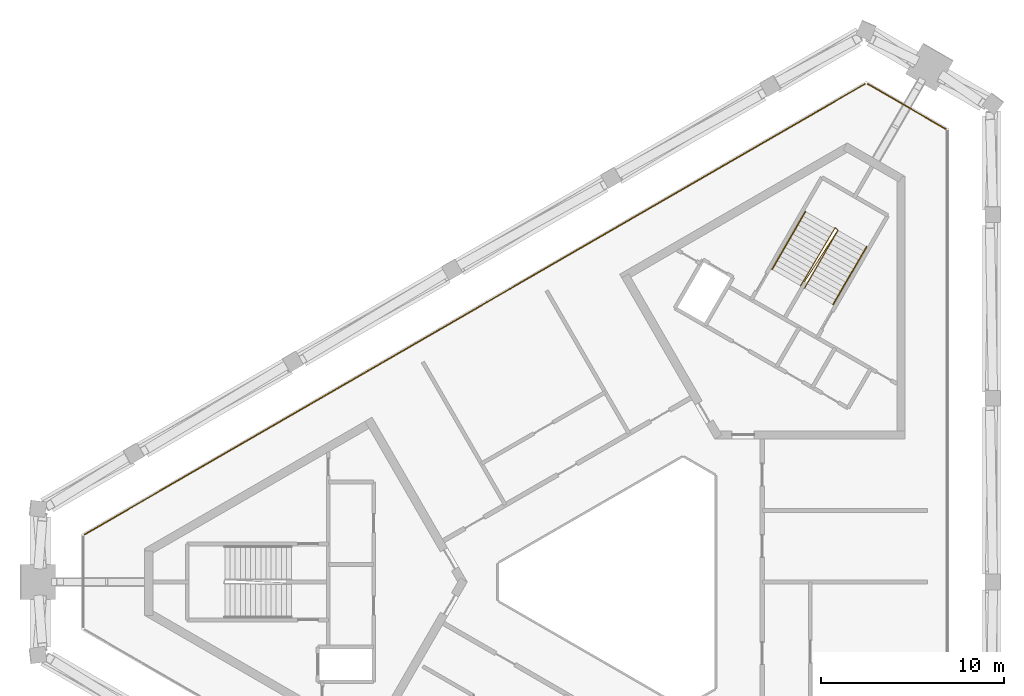
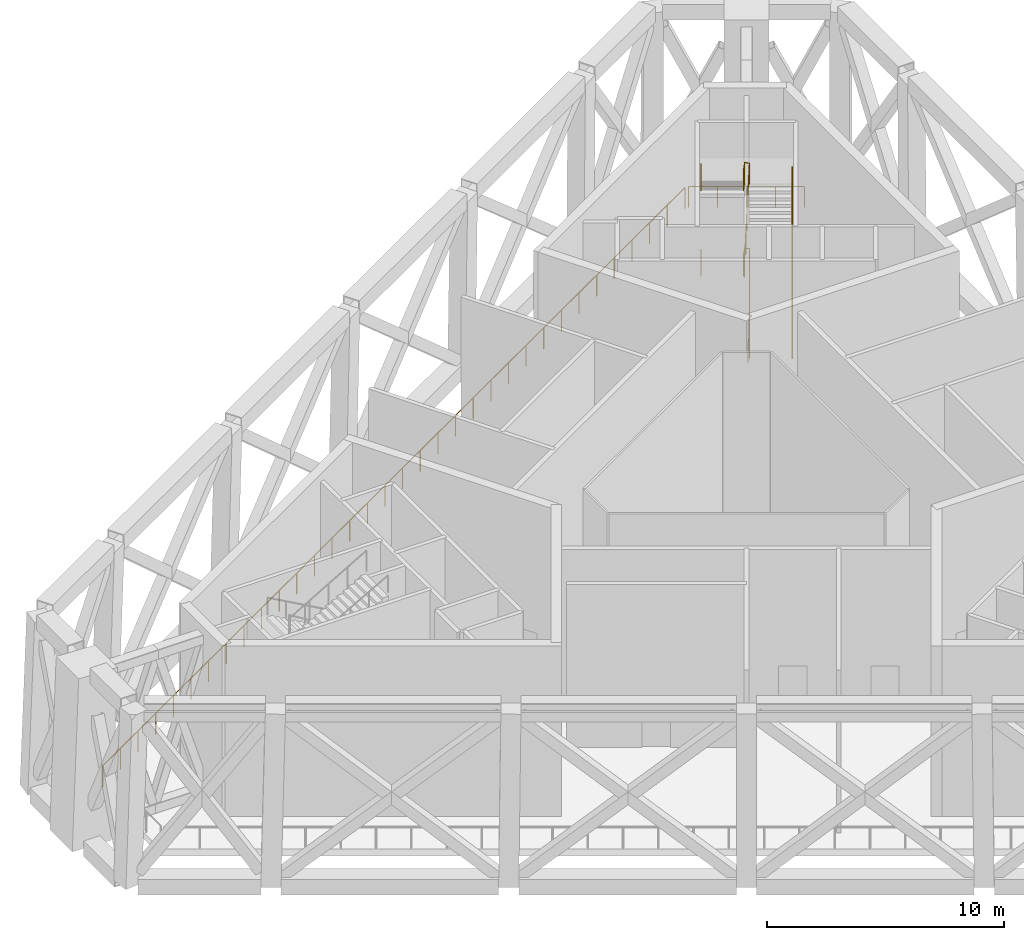
# One storey, part 8 of 8: 7 railings.
"""IFC4 building model written with IfcOpenShell, lengths in metres."""

from ifc_helpers import new_model, si_unit, direction, frame, origin, origin_2d, place, context, subcontext, project, spatial, circle, extrude, material, type_object, element, save


model = new_model("IFC4")

# Units and contexts
model_context = context("Model", 3, precision=1e-05, world=origin(), true_north=direction((0.0, 1.0)))
body_context = subcontext(model_context, "Body", "Model", "MODEL_VIEW")
ifc_project = project(units=[si_unit("LENGTHUNIT", "METRE"), si_unit("AREAUNIT", "SQUARE_METRE"), si_unit("VOLUMEUNIT", "CUBIC_METRE"), si_unit("PLANEANGLEUNIT", "RADIAN"), si_unit("MASSUNIT", "GRAM", prefix="KILO")], contexts=[model_context])

# Site, building, storey
site_placement = place(None, origin())
site = spatial("IfcSite", under=ifc_project, at=site_placement, CompositionType="ELEMENT")
building_placement = place(site_placement, origin())
building = spatial("IfcBuilding", under=site, at=building_placement, Name="Jabali Bay Hotel Tower and Convention Centre", CompositionType="ELEMENT")
storey_placement = place(building_placement, frame((0.0, 0.0, 246.5)))
storey = spatial("IfcBuildingStorey", under=building, at=storey_placement, Name="L61", CompositionType="ELEMENT", Elevation=246.5)

# Railings
ifc_material = material(Name="Steel Q355B", Category="steel")
railing_type_1 = type_object("IfcRailingType", Name="Stair guard 1100", PredefinedType="GUARDRAIL", material=ifc_material)
railing_1_placement = place(storey_placement, frame((84.329833984375, 96.010009765625, 0.0)))
element("IfcRailing", 1, at=railing_1_placement, inside=storey, type_object=railing_type_1, Name="L61 ST2 stair guard 1", PredefinedType="GUARDRAIL", context=body_context, shape_type="SweptSolid", body=[
    extrude(circle(Radius=0.02392578125, at=origin_2d()), frame((0.0, 0.0, 1.076171875), z_axis=(0.396471330136, 0.106197677715, 0.911884059312), x_axis=(-0.258736085224, 0.965948051503, 0.0)), (0.0, 0.0, 1.0), 0.17236328125),
    extrude(circle(Radius=0.02392578125, at=origin_2d()), frame((0.068359375, 0.018310546875, 1.2333984375), z_axis=(0.436044357701, 0.755225318126, 0.48938740991), x_axis=(-0.866018046521, 0.500012742938, 0.0)), (0.0, 0.0, 1.0), 4.174072265625),
    extrude(circle(Radius=0.02392578125, at=origin_2d()), frame((1.888427734375, 3.170654296875, 3.27587890625), z_axis=(-0.718850276695, 0.695164929852, 0.0), x_axis=(-0.695164929852, -0.718850276695, 0.0)), (0.0, 0.0, 1.0), 0.2060546875),
    extrude(circle(Radius=0.02392578125, at=origin_2d()), frame((1.740234375, 3.31396484375, 3.27587890625), z_axis=(-0.439537937446, -0.737980503376, 0.512046070372), x_axis=(0.859157857954, -0.511710636118, 0.0)), (0.0, 0.0, 1.0), 4.29638671875),
    extrude(circle(Radius=0.02392578125, at=origin_2d()), frame((-0.148193359375, 0.143310546875, 5.47607421875), z_axis=(0.258736085224, -0.965948051503, 0.0), x_axis=(0.965948051503, 0.258736085224, 0.0)), (0.0, 0.0, 1.0), 0.07080078125),
    extrude(circle(Radius=0.02392578125, at=origin_2d()), frame((-0.1298828125, 0.074951171875, 5.47607421875), z_axis=(0.4692753877, 0.719778869728, 0.511565234542), x_axis=(-0.837688130049, 0.546148877848, 0.0)), (0.0, 0.0, 1.0), 4.301025390625),
    extrude(circle(Radius=0.02392578125, at=origin_2d()), frame((1.888427734375, 3.170654296875, 7.67626953125), z_axis=(-0.718850276695, 0.695164929852, 0.0), x_axis=(-0.695164929852, -0.718850276695, 0.0)), (0.0, 0.0, 1.0), 0.2060546875),
    extrude(circle(Radius=0.02392578125, at=origin_2d()), frame((1.740234375, 3.31396484375, 7.67626953125), z_axis=(-0.439537937446, -0.737980503376, 0.512046070372), x_axis=(0.859157857954, -0.511710636118, 0.0)), (0.0, 0.0, 1.0), 4.29638671875),
    extrude(circle(Radius=0.02099609375, at=origin_2d()), origin(), (0.0, 0.0, 1.0), 1.052001953125),
    extrude(circle(Radius=0.02099609375, at=origin_2d()), frame((0.068359375, 0.018310546875, 0.1572265625)), (0.0, 0.0, 1.0), 1.052001953125),
    extrude(circle(Radius=0.02099609375, at=origin_2d()), frame((0.5234375, 0.806396484375, 0.66796875)), (0.0, 0.0, 1.0), 1.052001953125),
    extrude(circle(Radius=0.02099609375, at=origin_2d()), frame((0.978515625, 1.594482421875, 1.1787109375)), (0.0, 0.0, 1.0), 1.052001953125),
    extrude(circle(Radius=0.02099609375, at=origin_2d()), frame((1.433349609375, 2.382568359375, 1.689208984375)), (0.0, 0.0, 1.0), 1.052001953125),
    extrude(circle(Radius=0.02099609375, at=origin_2d()), frame((1.888427734375, 3.170654296875, 2.199951171875)), (0.0, 0.0, 1.0), 1.052001953125),
    extrude(circle(Radius=0.02099609375, at=origin_2d()), frame((1.740234375, 3.31396484375, 2.199951171875)), (0.0, 0.0, 1.0), 1.052001953125),
    extrude(circle(Radius=0.02099609375, at=origin_2d()), frame((1.26806640625, 2.521240234375, 2.75)), (0.0, 0.0, 1.0), 1.052001953125),
    extrude(circle(Radius=0.02099609375, at=origin_2d()), frame((0.7958984375, 1.728515625, 3.2998046875)), (0.0, 0.0, 1.0), 1.052001953125),
    extrude(circle(Radius=0.02099609375, at=origin_2d()), frame((0.323974609375, 0.93603515625, 3.849853515625)), (0.0, 0.0, 1.0), 1.052001953125),
    extrude(circle(Radius=0.02099609375, at=origin_2d()), frame((-0.148193359375, 0.143310546875, 4.39990234375)), (0.0, 0.0, 1.0), 1.052001953125),
    extrude(circle(Radius=0.02099609375, at=origin_2d()), frame((-0.1298828125, 0.074951171875, 4.39990234375)), (0.0, 0.0, 1.0), 1.052001953125),
    extrude(circle(Radius=0.02099609375, at=origin_2d()), frame((0.374755859375, 0.848876953125, 4.949951171875)), (0.0, 0.0, 1.0), 1.052001953125),
    extrude(circle(Radius=0.02099609375, at=origin_2d()), frame((0.87939453125, 1.622802734375, 5.5)), (0.0, 0.0, 1.0), 1.052001953125),
    extrude(circle(Radius=0.02099609375, at=origin_2d()), frame((1.3837890625, 2.396728515625, 6.050048828125)), (0.0, 0.0, 1.0), 1.052001953125),
    extrude(circle(Radius=0.02099609375, at=origin_2d()), frame((1.888427734375, 3.170654296875, 6.60009765625)), (0.0, 0.0, 1.0), 1.052001953125),
    extrude(circle(Radius=0.02099609375, at=origin_2d()), frame((1.740234375, 3.31396484375, 6.60009765625)), (0.0, 0.0, 1.0), 1.052001953125),
    extrude(circle(Radius=0.02099609375, at=origin_2d()), frame((1.26806640625, 2.521240234375, 7.150146484375)), (0.0, 0.0, 1.0), 1.052001953125),
    extrude(circle(Radius=0.02099609375, at=origin_2d()), frame((0.7958984375, 1.728515625, 7.7001953125)), (0.0, 0.0, 1.0), 1.052001953125),
    extrude(circle(Radius=0.02099609375, at=origin_2d()), frame((0.323974609375, 0.93603515625, 8.25)), (0.0, 0.0, 1.0), 1.052001953125),
    extrude(circle(Radius=0.02099609375, at=origin_2d()), frame((-0.148193359375, 0.143310546875, 8.800048828125)), (0.0, 0.0, 1.0), 1.052001953125),
])
railing_type_2 = type_object("IfcRailingType", Name="Stair handrail 900", PredefinedType="HANDRAIL", material=ifc_material)
railing_2_placement = place(storey_placement, frame((85.95703125, 95.128173828125, 0.1572265625)))
element("IfcRailing", 2, at=railing_2_placement, inside=storey, type_object=railing_type_2, Name="L61 ST2 stair handrail 1", PredefinedType="HANDRAIL", context=body_context, shape_type="SweptSolid", body=[
    extrude(circle(Radius=0.02392578125, at=origin_2d()), frame((0.0, 0.0, 0.8759765625), z_axis=(0.436044357701, 0.755225318126, 0.48938740991), x_axis=(-0.866018046521, 0.500012742938, 0.0)), (0.0, 0.0, 1.0), 4.174072265625),
    extrude(circle(Radius=0.02099609375, at=origin_2d()), origin(), (0.0, 0.0, 1.0), 0.851806640625),
    extrude(circle(Radius=0.02099609375, at=origin_2d()), frame((0.455078125, 0.7880859375, 0.5107421875)), (0.0, 0.0, 1.0), 0.851806640625),
    extrude(circle(Radius=0.02099609375, at=origin_2d()), frame((0.91015625, 1.576171875, 1.021484375)), (0.0, 0.0, 1.0), 0.851806640625),
    extrude(circle(Radius=0.02099609375, at=origin_2d()), frame((1.364990234375, 2.3642578125, 1.531982421875)), (0.0, 0.0, 1.0), 0.851806640625),
    extrude(circle(Radius=0.02099609375, at=origin_2d()), frame((1.820068359375, 3.15234375, 2.042724609375)), (0.0, 0.0, 1.0), 0.851806640625),
])
railing_3_placement = place(storey_placement, frame((84.44287109375, 100.20556640625, 2.357177734375)))
element("IfcRailing", 3, at=railing_3_placement, inside=storey, type_object=railing_type_2, Name="L61 ST2 stair handrail 2", PredefinedType="HANDRAIL", context=body_context, shape_type="SweptSolid", body=[
    extrude(circle(Radius=0.02392578125, at=origin_2d()), frame((0.0, 0.0, 0.8759765625), z_axis=(-0.436044357701, -0.755225318126, 0.48938740991), x_axis=(0.866018046521, -0.500012742938, 0.0)), (0.0, 0.0, 1.0), 4.174072265625),
    extrude(circle(Radius=0.02099609375, at=origin_2d()), origin(), (0.0, 0.0, 1.0), 0.851806640625),
    extrude(circle(Radius=0.02099609375, at=origin_2d()), frame((-0.455078125, -0.7880859375, 0.5107421875)), (0.0, 0.0, 1.0), 0.851806640625),
    extrude(circle(Radius=0.02099609375, at=origin_2d()), frame((-0.91015625, -1.576171875, 1.021484375)), (0.0, 0.0, 1.0), 0.851806640625),
    extrude(circle(Radius=0.02099609375, at=origin_2d()), frame((-1.364990234375, -2.3642578125, 1.531982421875)), (0.0, 0.0, 1.0), 0.851806640625),
    extrude(circle(Radius=0.02099609375, at=origin_2d()), frame((-1.820068359375, -3.15234375, 2.042724609375)), (0.0, 0.0, 1.0), 0.851806640625),
])
railing_4_placement = place(storey_placement, frame((85.95703125, 95.128173828125, 4.55712890625)))
element("IfcRailing", 4, at=railing_4_placement, inside=storey, type_object=railing_type_2, Name="L61 ST2 stair handrail 3", PredefinedType="HANDRAIL", context=body_context, shape_type="SweptSolid", body=[
    extrude(circle(Radius=0.02392578125, at=origin_2d()), frame((0.0, 0.0, 0.8759765625), z_axis=(0.436031875999, 0.75520369992, 0.489431889787), x_axis=(-0.866018046521, 0.500012742938, 0.0)), (0.0, 0.0, 1.0), 4.174072265625),
    extrude(circle(Radius=0.02099609375, at=origin_2d()), origin(), (0.0, 0.0, 1.0), 0.851806640625),
    extrude(circle(Radius=0.02099609375, at=origin_2d()), frame((0.455078125, 0.7880859375, 0.5107421875)), (0.0, 0.0, 1.0), 0.851806640625),
    extrude(circle(Radius=0.02099609375, at=origin_2d()), frame((0.91015625, 1.576171875, 1.021484375)), (0.0, 0.0, 1.0), 0.851806640625),
    extrude(circle(Radius=0.02099609375, at=origin_2d()), frame((1.364990234375, 2.3642578125, 1.5322265625)), (0.0, 0.0, 1.0), 0.851806640625),
    extrude(circle(Radius=0.02099609375, at=origin_2d()), frame((1.820068359375, 3.15234375, 2.04296875)), (0.0, 0.0, 1.0), 0.851806640625),
])
railing_5_placement = place(storey_placement, frame((84.44287109375, 100.20556640625, 6.757080078125)))
element("IfcRailing", 5, at=railing_5_placement, inside=storey, type_object=railing_type_2, Name="L61 ST2 stair handrail 4", PredefinedType="HANDRAIL", context=body_context, shape_type="SweptSolid", body=[
    extrude(circle(Radius=0.02392578125, at=origin_2d()), frame((0.0, 0.0, 0.8759765625), z_axis=(-0.436031875999, -0.75520369992, 0.489431889787), x_axis=(0.866018046521, -0.500012742938, 0.0)), (0.0, 0.0, 1.0), 4.174072265625),
    extrude(circle(Radius=0.02099609375, at=origin_2d()), origin(), (0.0, 0.0, 1.0), 0.851806640625),
    extrude(circle(Radius=0.02099609375, at=origin_2d()), frame((-0.455078125, -0.7880859375, 0.5107421875)), (0.0, 0.0, 1.0), 0.851806640625),
    extrude(circle(Radius=0.02099609375, at=origin_2d()), frame((-0.91015625, -1.576171875, 1.021484375)), (0.0, 0.0, 1.0), 0.851806640625),
    extrude(circle(Radius=0.02099609375, at=origin_2d()), frame((-1.364990234375, -2.3642578125, 1.5322265625)), (0.0, 0.0, 1.0), 0.851806640625),
    extrude(circle(Radius=0.02099609375, at=origin_2d()), frame((-1.820068359375, -3.15234375, 2.04296875)), (0.0, 0.0, 1.0), 0.851806640625),
])
railing_type_3 = type_object("IfcRailingType", Name="Wind floor guard 1100", PredefinedType="GUARDRAIL", material=ifc_material)
railing_6_placement = place(storey_placement, frame((92.092529296875, 104.708251953125, 0.0)))
element("IfcRailing", 6, at=railing_6_placement, inside=storey, type_object=railing_type_3, Name="Wind floor guard L61 run 2", PredefinedType="GUARDRAIL", context=body_context, shape_type="SweptSolid", body=[
    extrude(circle(Radius=0.02490234375, at=origin_2d()), frame((0.0, 0.0, 1.0751953125), z_axis=(-0.86601621064, 0.500015922655, 0.0), x_axis=(-0.500015922655, -0.86601621064, 0.0)), (0.0, 0.0, 1.0), 4.896728515625),
    extrude(circle(Radius=0.02490234375, at=origin_2d()), origin(), (0.0, 0.0, 1.0), 1.050048828125),
    extrude(circle(Radius=0.02490234375, at=origin_2d()), frame((-1.06005859375, 0.612060546875, 0.0)), (0.0, 0.0, 1.0), 1.050048828125),
    extrude(circle(Radius=0.02490234375, at=origin_2d()), frame((-2.120361328125, 1.22412109375, 0.0)), (0.0, 0.0, 1.0), 1.050048828125),
    extrude(circle(Radius=0.02490234375, at=origin_2d()), frame((-3.1806640625, 1.83642578125, 0.0)), (0.0, 0.0, 1.0), 1.050048828125),
    extrude(circle(Radius=0.02490234375, at=origin_2d()), frame((-4.24072265625, 2.448486328125, 0.0)), (0.0, 0.0, 1.0), 1.050048828125),
])
railing_7_placement = place(storey_placement, frame((87.678466796875, 107.15673828125, 0.0)))
element("IfcRailing", 7, at=railing_7_placement, inside=storey, type_object=railing_type_3, Name="Wind floor guard L61 run 3", PredefinedType="GUARDRAIL", context=body_context, shape_type="SweptSolid", body=[
    extrude(circle(Radius=0.02490234375, at=origin_2d()), frame((0.0, 0.0, 1.0751953125), z_axis=(-0.866024505608, -0.500001555684, 0.0), x_axis=(0.500001555684, -0.866024505608, 0.0)), (0.0, 0.0, 1.0), 49.116455078125),
    extrude(circle(Radius=0.02490234375, at=origin_2d()), origin(), (0.0, 0.0, 1.0), 1.050048828125),
    extrude(circle(Radius=0.02490234375, at=origin_2d()), frame((-1.2890625, -0.744140625, 0.0)), (0.0, 0.0, 1.0), 1.050048828125),
    extrude(circle(Radius=0.02490234375, at=origin_2d()), frame((-2.577880859375, -1.48828125, 0.0)), (0.0, 0.0, 1.0), 1.050048828125),
    extrude(circle(Radius=0.02490234375, at=origin_2d()), frame((-3.866943359375, -2.232666015625, 0.0)), (0.0, 0.0, 1.0), 1.050048828125),
    extrude(circle(Radius=0.02490234375, at=origin_2d()), frame((-5.156005859375, -2.976806640625, 0.0)), (0.0, 0.0, 1.0), 1.050048828125),
    extrude(circle(Radius=0.02490234375, at=origin_2d()), frame((-6.44482421875, -3.720947265625, 0.0)), (0.0, 0.0, 1.0), 1.050048828125),
    extrude(circle(Radius=0.02490234375, at=origin_2d()), frame((-7.73388671875, -4.465087890625, 0.0)), (0.0, 0.0, 1.0), 1.050048828125),
    extrude(circle(Radius=0.02490234375, at=origin_2d()), frame((-9.022705078125, -5.209228515625, 0.0)), (0.0, 0.0, 1.0), 1.050048828125),
    extrude(circle(Radius=0.02490234375, at=origin_2d()), frame((-10.311767578125, -5.95361328125, 0.0)), (0.0, 0.0, 1.0), 1.050048828125),
    extrude(circle(Radius=0.02490234375, at=origin_2d()), frame((-11.600830078125, -6.69775390625, 0.0)), (0.0, 0.0, 1.0), 1.050048828125),
    extrude(circle(Radius=0.02490234375, at=origin_2d()), frame((-12.8896484375, -7.44189453125, 0.0)), (0.0, 0.0, 1.0), 1.050048828125),
    extrude(circle(Radius=0.02490234375, at=origin_2d()), frame((-14.1787109375, -8.18603515625, 0.0)), (0.0, 0.0, 1.0), 1.050048828125),
    extrude(circle(Radius=0.02490234375, at=origin_2d()), frame((-15.4677734375, -8.930419921875, 0.0)), (0.0, 0.0, 1.0), 1.050048828125),
    extrude(circle(Radius=0.02490234375, at=origin_2d()), frame((-16.756591796875, -9.674560546875, 0.0)), (0.0, 0.0, 1.0), 1.050048828125),
    extrude(circle(Radius=0.02490234375, at=origin_2d()), frame((-18.045654296875, -10.418701171875, 0.0)), (0.0, 0.0, 1.0), 1.050048828125),
    extrude(circle(Radius=0.02490234375, at=origin_2d()), frame((-19.334716796875, -11.162841796875, 0.0)), (0.0, 0.0, 1.0), 1.050048828125),
    extrude(circle(Radius=0.02490234375, at=origin_2d()), frame((-20.62353515625, -11.906982421875, 0.0)), (0.0, 0.0, 1.0), 1.050048828125),
    extrude(circle(Radius=0.02490234375, at=origin_2d()), frame((-21.91259765625, -12.6513671875, 0.0)), (0.0, 0.0, 1.0), 1.050048828125),
    extrude(circle(Radius=0.02490234375, at=origin_2d()), frame((-23.201416015625, -13.3955078125, 0.0)), (0.0, 0.0, 1.0), 1.050048828125),
    extrude(circle(Radius=0.02490234375, at=origin_2d()), frame((-24.490478515625, -14.1396484375, 0.0)), (0.0, 0.0, 1.0), 1.050048828125),
    extrude(circle(Radius=0.02490234375, at=origin_2d()), frame((-25.779541015625, -14.8837890625, 0.0)), (0.0, 0.0, 1.0), 1.050048828125),
    extrude(circle(Radius=0.02490234375, at=origin_2d()), frame((-27.068359375, -15.6279296875, 0.0)), (0.0, 0.0, 1.0), 1.050048828125),
    extrude(circle(Radius=0.02490234375, at=origin_2d()), frame((-28.357421875, -16.372314453125, 0.0)), (0.0, 0.0, 1.0), 1.050048828125),
    extrude(circle(Radius=0.02490234375, at=origin_2d()), frame((-29.646484375, -17.116455078125, 0.0)), (0.0, 0.0, 1.0), 1.050048828125),
    extrude(circle(Radius=0.02490234375, at=origin_2d()), frame((-30.935302734375, -17.860595703125, 0.0)), (0.0, 0.0, 1.0), 1.050048828125),
    extrude(circle(Radius=0.02490234375, at=origin_2d()), frame((-32.224365234375, -18.604736328125, 0.0)), (0.0, 0.0, 1.0), 1.050048828125),
    extrude(circle(Radius=0.02490234375, at=origin_2d()), frame((-33.513427734375, -19.34912109375, 0.0)), (0.0, 0.0, 1.0), 1.050048828125),
    extrude(circle(Radius=0.02490234375, at=origin_2d()), frame((-34.80224609375, -20.09326171875, 0.0)), (0.0, 0.0, 1.0), 1.050048828125),
    extrude(circle(Radius=0.02490234375, at=origin_2d()), frame((-36.09130859375, -20.83740234375, 0.0)), (0.0, 0.0, 1.0), 1.050048828125),
    extrude(circle(Radius=0.02490234375, at=origin_2d()), frame((-37.380126953125, -21.58154296875, 0.0)), (0.0, 0.0, 1.0), 1.050048828125),
    extrude(circle(Radius=0.02490234375, at=origin_2d()), frame((-38.669189453125, -22.32568359375, 0.0)), (0.0, 0.0, 1.0), 1.050048828125),
    extrude(circle(Radius=0.02490234375, at=origin_2d()), frame((-39.958251953125, -23.070068359375, 0.0)), (0.0, 0.0, 1.0), 1.050048828125),
    extrude(circle(Radius=0.02490234375, at=origin_2d()), frame((-41.2470703125, -23.814208984375, 0.0)), (0.0, 0.0, 1.0), 1.050048828125),
    extrude(circle(Radius=0.02490234375, at=origin_2d()), frame((-42.5361328125, -24.558349609375, 0.0)), (0.0, 0.0, 1.0), 1.050048828125),
])

save(model, "model.ifc")
